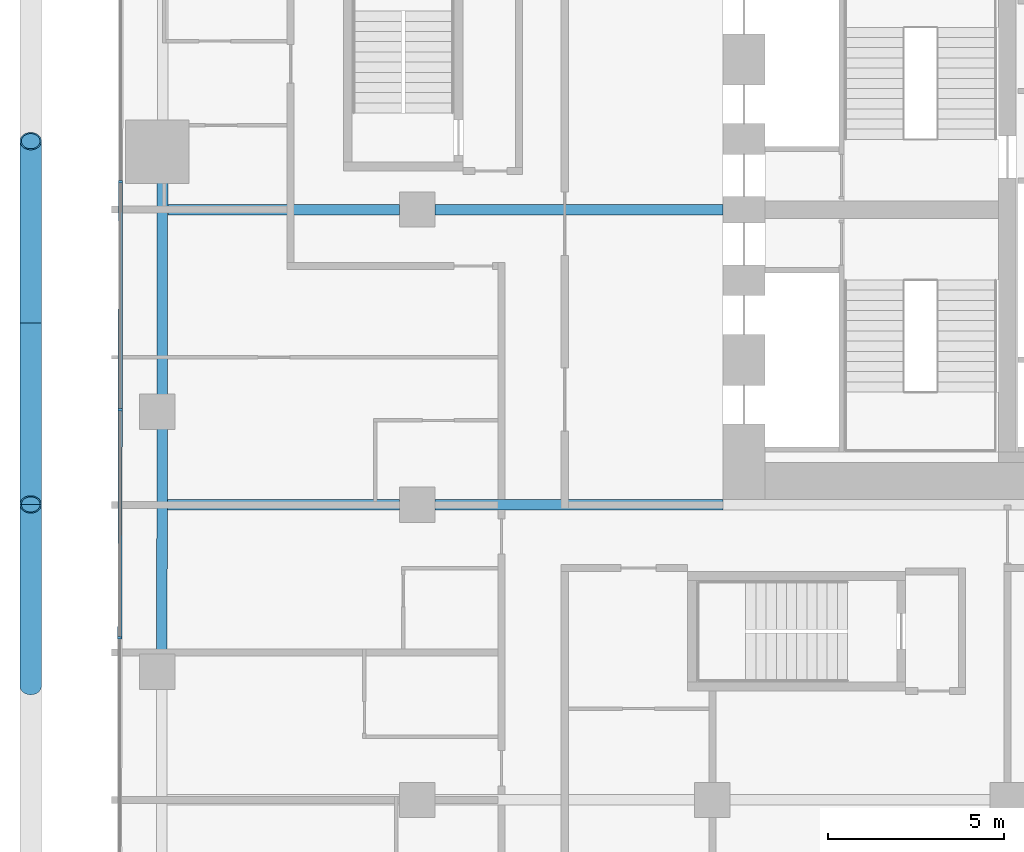
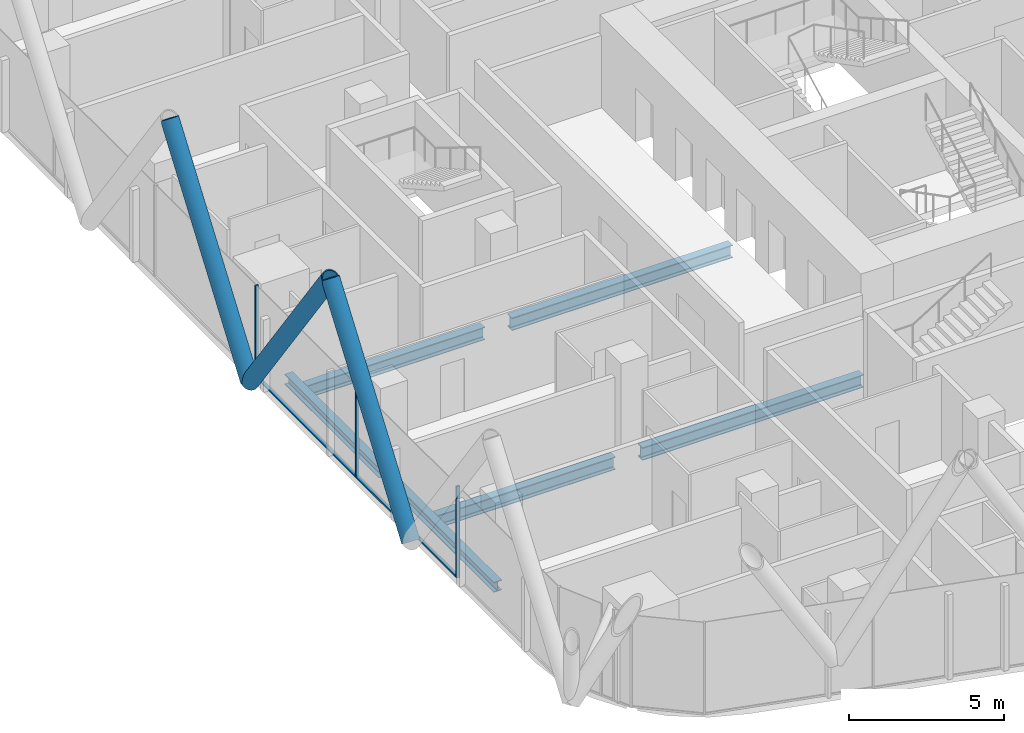
# One storey, part 4 of 34: 8 members, 6 beams, 1 element without a shape of its own.
"""IFC4 building model written with IfcOpenShell, lengths in metres."""

from ifc_helpers import new_model, si_unit, direction, frame, origin, origin_2d, place, context, subcontext, project, spatial, rectangle, hollow_circle, i_section, extrude, material, layer, layer_set, material_profile, profile_set, type_object, element, aggregate, save


model = new_model("IFC4")

# Units and contexts
model_context = context("Model", 3, precision=1e-05, world=origin(), true_north=direction((0.0, 1.0)))
body_context = subcontext(model_context, "Body", "Model", "MODEL_VIEW")
ifc_project = project(units=[si_unit("LENGTHUNIT", "METRE"), si_unit("AREAUNIT", "SQUARE_METRE"), si_unit("VOLUMEUNIT", "CUBIC_METRE"), si_unit("PLANEANGLEUNIT", "RADIAN"), si_unit("MASSUNIT", "GRAM", prefix="KILO")], contexts=[model_context])

# Site, building, storey
site_placement = place(None, origin())
site = spatial("IfcSite", under=ifc_project, at=site_placement, CompositionType="ELEMENT")
building_placement = place(site_placement, origin())
building = spatial("IfcBuilding", under=site, at=building_placement, Name="Marenta Gate Hotel Tower", CompositionType="ELEMENT")
storey_placement = place(building_placement, frame((0.0, 0.0, 76.10009765625)))
storey = spatial("IfcBuildingStorey", under=building, at=storey_placement, Name="L17", CompositionType="ELEMENT", Elevation=76.10009765625)

# Members
ifc_material_1 = material(Name="Steel S355J2W", Category="steel")
ifc_material_profile_1 = material_profile(ifc_material_1, hollow_circle(Radius=0.304931640625, WallThickness=0.0400390625, at=origin_2d()), Name="CHS 610x40")
ifc_profile_set_1 = profile_set([ifc_material_profile_1], Name="Steel S355J2W")
member_type_1 = type_object("IfcMemberType", Name="Diagrid diagonal Z1 CHS 610x40", PredefinedType="BRACE", material=ifc_profile_set_1)
member_1_placement = place(storey_placement, frame((-32.0, -5.16015625, 3.139892578125), z_axis=(0.0, 0.583279014058, 0.812271870595), x_axis=(-1.0, 0.0, 0.0)))
element("IfcMember", 1, at=member_1_placement, inside=storey, type_object=member_type_1, Name="L17-DG-27", PredefinedType="BRACE", context=body_context, shape_type="SweptSolid", body=[
    extrude(hollow_circle(Radius=0.304931640625, WallThickness=0.0400390625, at=origin_2d()), origin(), (0.0, 0.0, 1.0), 8.864013671875),
])
for number, where, z_axis, x_axis, name in (
    (2, (-32.0, 5.179931640625, 3.139892578125), (0.0, -0.583260841117, 0.812284919975), (1.0, 0.0, 0.0), "L17-DG-28"),
    (3, (-32.0, 5.179931640625, 3.139892578125), (0.0, 0.583260841117, 0.812284919975), (-1.0, 0.0, 0.0), "L17-DG-29"),
):
    element("IfcMember", number, at=place(storey_placement, frame(where, z_axis=z_axis, x_axis=x_axis)), inside=storey, type_object=member_type_1, Name=name, PredefinedType="BRACE", context=body_context, shape_type="SweptSolid", body=[
        extrude(hollow_circle(Radius=0.304931640625, WallThickness=0.0400390625, at=origin_2d()), origin(), (0.0, 0.0, 1.0), 8.86376953125),
    ])

# Beams
ifc_material_2 = material(Name="Steel S355", Category="steel")
ifc_material_profile_2 = material_profile(ifc_material_2, i_section(OverallWidth=0.300048828125, OverallDepth=0.39990234375, WebThickness=0.013427734375, FlangeThickness=0.02392578125, FilletRadius=0.027099609375, at=origin_2d()), Name="HEB 400")
ifc_profile_set_2 = profile_set([ifc_material_profile_2], Name="Steel S355")
beam_type_1 = type_object("IfcBeamType", Name="Edge beam HEB 400", PredefinedType="SPANDREL", material=ifc_profile_set_2)
beam_1_placement = place(storey_placement, frame((-28.267333984375, -4.2919921875, -0.460205078125), z_axis=(0.001393753119, 0.999999028726, 0.0), x_axis=(-0.999999028726, 0.001393753119, 0.0)))
element("IfcBeam", 4, at=beam_1_placement, inside=storey, type_object=beam_type_1, Name="L17-EB-6", PredefinedType="SPANDREL", context=body_context, shape_type="SweptSolid", body=[
    extrude(i_section(OverallWidth=0.300048828125, OverallDepth=0.39990234375, WebThickness=0.013427734375, FlangeThickness=0.02392578125, FilletRadius=0.027099609375, at=origin_2d()), origin(), (0.0, 0.0, 1.0), 6.481201171875),
])
beam_2_placement = place(storey_placement, frame((-28.257080078125, 3.109130859375, -0.460205078125), z_axis=(0.001405226059, 0.999999012669, 0.0), x_axis=(-0.999999012669, 0.001405226059, 0.0)))
element("IfcBeam", 5, at=beam_2_placement, inside=storey, type_object=beam_type_1, Name="L17-EB-7", PredefinedType="SPANDREL", context=body_context, shape_type="SweptSolid", body=[
    extrude(i_section(OverallWidth=0.300048828125, OverallDepth=0.39990234375, WebThickness=0.013427734375, FlangeThickness=0.02392578125, FilletRadius=0.027099609375, at=origin_2d()), origin(), (0.0, 0.0, 1.0), 6.080810546875),
])
ifc_material_3 = material(Name="Steel S355", Category="steel")
ifc_material_profile_3 = material_profile(ifc_material_3, i_section(OverallWidth=0.300048828125, OverallDepth=0.5, WebThickness=0.014404296875, FlangeThickness=0.028076171875, FilletRadius=0.027099609375, at=origin_2d()), Name="HEB 500")
ifc_profile_set_3 = profile_set([ifc_material_profile_3], Name="Steel S355")
beam_type_2 = type_object("IfcBeamType", Name="Girder HEB 500", PredefinedType="BEAM", material=ifc_profile_set_3)
beam_3_placement = place(storey_placement, frame((-28.111328125, 0.0, -0.510009765625), z_axis=(1.0, 0.0, 0.0), x_axis=(0.0, 1.0, 0.0)))
element("IfcBeam", 6, at=beam_3_placement, inside=storey, type_object=beam_type_2, Name="L17-GD-8", PredefinedType="BEAM", context=body_context, shape_type="SweptSolid", body=[
    extrude(i_section(OverallWidth=0.300048828125, OverallDepth=0.5, WebThickness=0.014404296875, FlangeThickness=0.028076171875, FilletRadius=0.027099609375, at=origin_2d()), origin(), (0.0, 0.0, 1.0), 6.611328125),
])
beam_4_placement = place(storey_placement, frame((-20.5, 0.0, -0.510009765625), z_axis=(1.0, 0.0, 0.0), x_axis=(0.0, 1.0, 0.0)))
element("IfcBeam", 7, at=beam_4_placement, inside=storey, type_object=beam_type_2, Name="L17-GD-9", PredefinedType="BEAM", context=body_context, shape_type="SweptSolid", body=[
    extrude(i_section(OverallWidth=0.300048828125, OverallDepth=0.5, WebThickness=0.014404296875, FlangeThickness=0.028076171875, FilletRadius=0.027099609375, at=origin_2d()), origin(), (0.0, 0.0, 1.0), 8.199951171875),
])
beam_5_placement = place(storey_placement, frame((-28.099609375, 8.39990234375, -0.510009765625), z_axis=(1.0, 0.0, 0.0), x_axis=(0.0, 1.0, 0.0)))
element("IfcBeam", 8, at=beam_5_placement, inside=storey, type_object=beam_type_2, Name="L17-GD-13", PredefinedType="BEAM", context=body_context, shape_type="SweptSolid", body=[
    extrude(i_section(OverallWidth=0.300048828125, OverallDepth=0.5, WebThickness=0.014404296875, FlangeThickness=0.028076171875, FilletRadius=0.027099609375, at=origin_2d()), origin(), (0.0, 0.0, 1.0), 6.599609375),
])
beam_6_placement = place(storey_placement, frame((-20.5, 8.39990234375, -0.510009765625), z_axis=(1.0, 0.0, 0.0), x_axis=(0.0, 1.0, 0.0)))
element("IfcBeam", 9, at=beam_6_placement, inside=storey, type_object=beam_type_2, Name="L17-GD-14", PredefinedType="BEAM", context=body_context, shape_type="SweptSolid", body=[
    extrude(i_section(OverallWidth=0.300048828125, OverallDepth=0.5, WebThickness=0.014404296875, FlangeThickness=0.028076171875, FilletRadius=0.027099609375, at=origin_2d()), origin(), (0.0, 0.0, 1.0), 8.199951171875),
])

# Curtain wall, members
ifc_material_4 = material(Name="Tinted insulated glass in bronze anodised frame", Category="glass")
ifc_layer = layer(ifc_material_4, 0.1201171875)
ifc_layer_set = layer_set([ifc_layer], Name="Tinted insulated glass in bronze anodised frame")
curtain_wall_type = type_object("IfcCurtainWallType", Name="Tower unitised curtain wall CW1", PredefinedType="NOTDEFINED", material=ifc_layer_set)
curtain_wall_placement = place(storey_placement, origin())
curtain_wall = element("IfcCurtainWall", 10, at=curtain_wall_placement, inside=storey, type_object=curtain_wall_type, Name="CW1 run G04", PredefinedType="NOTDEFINED")
ifc_material_5 = material(Name="Bronze anodised aluminium", Category="aluminium")
ifc_material_profile_4 = material_profile(ifc_material_5, rectangle(XDim=0.1201171875, YDim=0.06005859375, at=origin_2d()), Name="Mullion CW1 60x120 bronze anodised aluminium")
ifc_profile_set_4 = profile_set([ifc_material_profile_4], Name="Bronze anodised aluminium")
member_type_2 = type_object("IfcMemberType", Name="Mullion CW1 60x120 bronze anodised aluminium", PredefinedType="MULLION", material=ifc_profile_set_4)
member_2_placement = place(storey_placement, frame((-29.44287109375, 9.195068359375, 0.0), z_axis=(0.0, 0.0, 1.0), x_axis=(0.99999877316, -0.00156642217, 0.0)))
member_2 = element("IfcMember", 11, at=member_2_placement, type_object=member_type_2, Name="CW1 mullion 4", PredefinedType="MULLION", context=body_context, shape_type="SweptSolid", body=[
    extrude(rectangle(XDim=0.1201171875, YDim=0.06005859375, at=origin_2d()), origin(), (0.0, 0.0, 1.0), 3.599853515625),
])
member_3_placement = place(storey_placement, frame((-29.452880859375, 2.704833984375, 0.0), z_axis=(0.0, 0.0, 1.0), x_axis=(0.99999877316, -0.00156642217, 0.0)))
member_3 = element("IfcMember", 12, at=member_3_placement, type_object=member_type_2, Name="CW1 mullion 5", PredefinedType="MULLION", context=body_context, shape_type="SweptSolid", body=[
    extrude(rectangle(XDim=0.1201171875, YDim=0.06005859375, at=origin_2d()), origin(), (0.0, 0.0, 1.0), 3.599853515625),
])
member_4_placement = place(storey_placement, frame((-29.463134765625, -3.78564453125, 0.0), z_axis=(0.0, 0.0, 1.0), x_axis=(0.99999877316, -0.00156642217, 0.0)))
member_4 = element("IfcMember", 13, at=member_4_placement, type_object=member_type_2, Name="CW1 mullion 6", PredefinedType="MULLION", context=body_context, shape_type="SweptSolid", body=[
    extrude(rectangle(XDim=0.1201171875, YDim=0.06005859375, at=origin_2d()), origin(), (0.0, 0.0, 1.0), 3.599853515625),
])
ifc_material_6 = material(Name="Bronze anodised aluminium", Category="aluminium")
ifc_material_profile_5 = material_profile(ifc_material_6, rectangle(XDim=0.1201171875, YDim=0.06005859375, at=origin_2d()), Name="Transom CW1 60x120 bronze anodised aluminium")
ifc_profile_set_5 = profile_set([ifc_material_profile_5], Name="Bronze anodised aluminium")
member_type_3 = type_object("IfcMemberType", Name="Transom CW1 60x120 bronze anodised aluminium", PredefinedType="USERDEFINED", material=ifc_profile_set_5)
member_5_placement = place(storey_placement, frame((-29.44287109375, 9.1650390625, 0.02978515625), z_axis=(-0.001556625169, -0.999998788458, 0.0), x_axis=(0.999998788458, -0.001556625169, 0.0)))
member_5 = element("IfcMember", 14, at=member_5_placement, type_object=member_type_3, Name="CW1 transom 4.1", ObjectType="TRANSOM", PredefinedType="USERDEFINED", context=body_context, shape_type="SweptSolid", body=[
    extrude(rectangle(XDim=0.1201171875, YDim=0.06005859375, at=origin_2d()), origin(), (0.0, 0.0, 1.0), 6.430419921875),
])
member_6_placement = place(storey_placement, frame((-29.453125, 2.6748046875, 0.02978515625), z_axis=(-0.001556625169, -0.999998788458, 0.0), x_axis=(0.999998788458, -0.001556625169, 0.0)))
member_6 = element("IfcMember", 15, at=member_6_placement, type_object=member_type_3, Name="CW1 transom 5.1", ObjectType="TRANSOM", PredefinedType="USERDEFINED", context=body_context, shape_type="SweptSolid", body=[
    extrude(rectangle(XDim=0.1201171875, YDim=0.06005859375, at=origin_2d()), origin(), (0.0, 0.0, 1.0), 6.430419921875),
])
aggregate(curtain_wall, [member_2, member_3, member_4, member_5, member_6])

save(model, "model.ifc")
